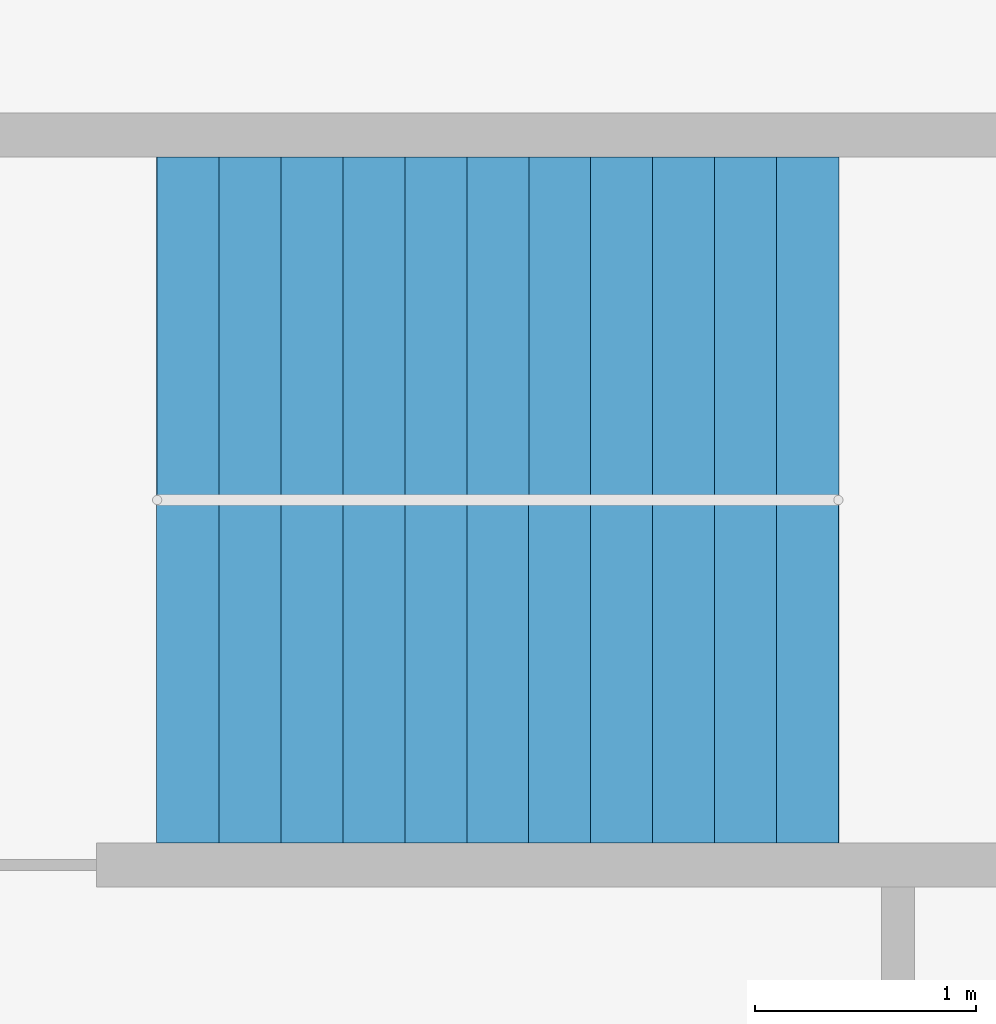
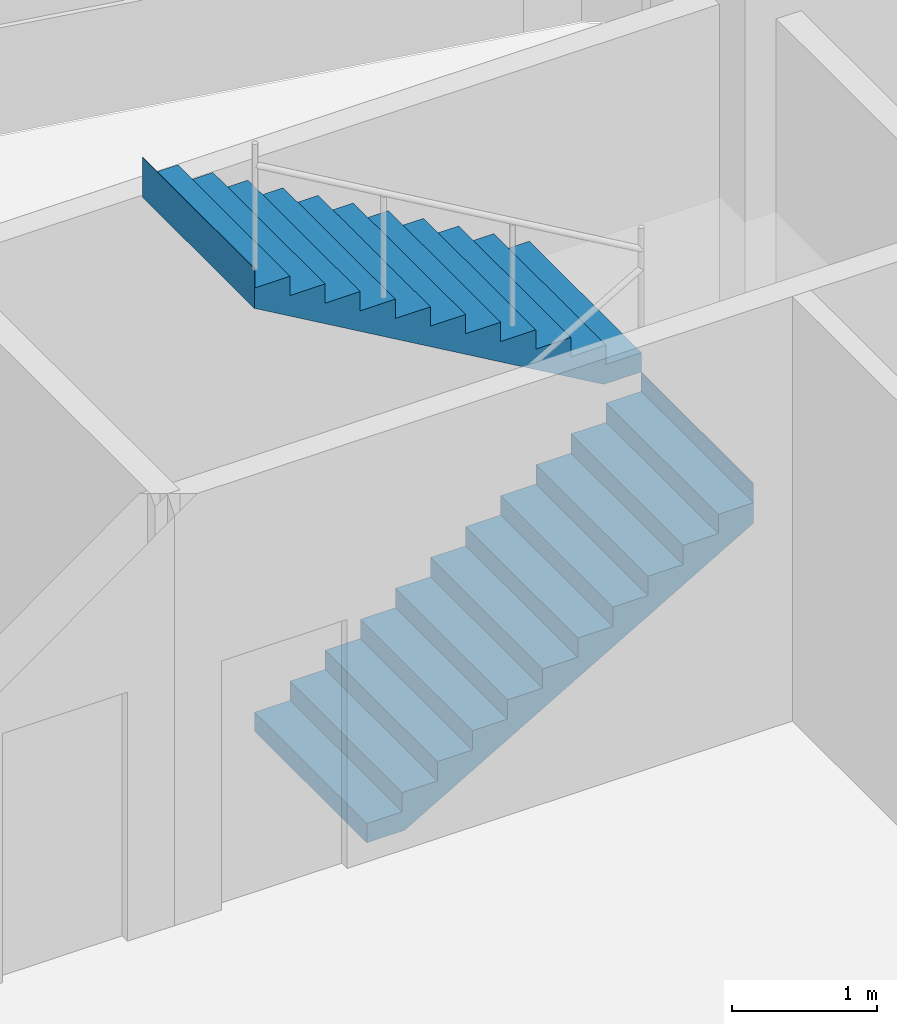
# One storey, part 7 of 9: 2 stair flights, 1 element without a shape of its own.
"""IFC4 building model written with IfcOpenShell, lengths in metres."""

from ifc_helpers import new_model, si_unit, direction, frame, origin, place, context, subcontext, project, spatial, polyline, outline, extrude, material, type_object, element, aggregate, save


model = new_model("IFC4")

# Units and contexts
model_context = context("Model", 3, precision=1e-05, world=origin(), true_north=direction((0.0, 1.0)))
body_context = subcontext(model_context, "Body", "Model", "MODEL_VIEW")
ifc_project = project(units=[si_unit("LENGTHUNIT", "METRE"), si_unit("AREAUNIT", "SQUARE_METRE"), si_unit("VOLUMEUNIT", "CUBIC_METRE"), si_unit("PLANEANGLEUNIT", "RADIAN"), si_unit("MASSUNIT", "GRAM", prefix="KILO")], contexts=[model_context])

# Site, building, storey
site_placement = place(None, origin())
site = spatial("IfcSite", under=ifc_project, at=site_placement, CompositionType="ELEMENT")
building_placement = place(site_placement, origin())
building = spatial("IfcBuilding", under=site, at=building_placement, Name="Qaws Garden Tower", CompositionType="ELEMENT")
storey_placement = place(building_placement, frame((0.0, 0.0, 213.60009765625)))
storey = spatial("IfcBuildingStorey", under=building, at=storey_placement, Name="L52", CompositionType="ELEMENT", Elevation=213.60009765625)

# Stair, stair flights
ifc_material_1 = material(Name="Concrete C40", Category="concrete")
stair_type = type_object("IfcStairType", Name="Exit stair 1350", PredefinedType="HALF_TURN_STAIR", material=ifc_material_1)
stair_placement = place(storey_placement, origin())
stair = element("IfcStair", 1, at=stair_placement, inside=storey, type_object=stair_type, Name="Stair 7", PredefinedType="HALF_TURN_STAIR")
ifc_material_2 = material(Name="Concrete C40", Category="concrete")
stair_flight_type = type_object("IfcStairFlightType", Name="Stair flight 1350", PredefinedType="STRAIGHT", material=ifc_material_2)
stair_flight_1_placement = place(storey_placement, frame((14.75, 67.375, 0.0), z_axis=(0.0, 0.0, 1.0), x_axis=(1.0, 0.0, 0.0)))
stair_flight_1 = element("IfcStairFlight", 2, at=stair_flight_1_placement, type_object=stair_flight_type, Name="ST7 flight 1", NumberOfRisers=12, NumberOfTreads=11, PredefinedType="STRAIGHT", RiserHeight=0.1625, TreadLength=0.28, context=body_context, shape_type="SweptSolid", body=[
    extrude(outline(polyline([(-0.0029296875, 0.0), (-0.0029296875, 0.16259765625), (0.0, 0.16259765625), (0.280029296875, 0.16259765625), (0.280029296875, 0.324951171875), (0.56005859375, 0.324951171875), (0.56005859375, 0.487548828125), (0.840087890625, 0.487548828125), (0.840087890625, 0.64990234375), (1.1201171875, 0.64990234375), (1.1201171875, 0.8125), (1.39990234375, 0.8125), (1.39990234375, 0.97509765625), (1.679931640625, 0.97509765625), (1.679931640625, 1.137451171875), (1.9599609375, 1.137451171875), (1.9599609375, 1.300048828125), (2.239990234375, 1.300048828125), (2.239990234375, 1.46240234375), (2.52001953125, 1.46240234375), (2.52001953125, 1.625), (2.800048828125, 1.625), (2.800048828125, 1.78759765625), (3.080078125, 1.78759765625), (3.080078125, 1.949951171875), (3.0830078125, 1.949951171875), (3.0830078125, 1.6142578125), (3.080078125, 1.6142578125), (0.298583984375, 0.0), (-0.0029296875, 0.0)])), frame((0.0, 0.77490234375, 0.0), z_axis=(0.0, -1.0, 0.0), x_axis=(1.0, 0.0, 0.0)), (0.0, 0.0, 1.0), 1.550048828125),
])
stair_flight_2_placement = place(storey_placement, frame((17.830078125, 68.925048828125, 1.949951171875), z_axis=(0.0, 0.0, 1.0), x_axis=(-1.0, 0.0, 0.0)))
stair_flight_2 = element("IfcStairFlight", 3, at=stair_flight_2_placement, type_object=stair_flight_type, Name="ST7 flight 2", NumberOfRisers=12, NumberOfTreads=11, PredefinedType="STRAIGHT", RiserHeight=0.1625, TreadLength=0.28, context=body_context, shape_type="SweptSolid", body=[
    extrude(outline(polyline([(-0.0029296875, 0.0), (-0.0029296875, 0.16259765625), (0.0, 0.16259765625), (0.280029296875, 0.16259765625), (0.280029296875, 0.324951171875), (0.56005859375, 0.324951171875), (0.56005859375, 0.487548828125), (0.840087890625, 0.487548828125), (0.840087890625, 0.64990234375), (1.1201171875, 0.64990234375), (1.1201171875, 0.8125), (1.39990234375, 0.8125), (1.39990234375, 0.97509765625), (1.679931640625, 0.97509765625), (1.679931640625, 1.137451171875), (1.9599609375, 1.137451171875), (1.9599609375, 1.300048828125), (2.239990234375, 1.300048828125), (2.239990234375, 1.46240234375), (2.52001953125, 1.46240234375), (2.52001953125, 1.625), (2.800048828125, 1.625), (2.800048828125, 1.78759765625), (3.080078125, 1.78759765625), (3.080078125, 1.949951171875), (3.0830078125, 1.949951171875), (3.0830078125, 1.6142578125), (3.080078125, 1.6142578125), (0.298583984375, 0.0), (-0.0029296875, 0.0)])), frame((0.0, 0.77490234375, 0.0), z_axis=(0.0, -1.0, 0.0), x_axis=(1.0, 0.0, 0.0)), (0.0, 0.0, 1.0), 1.550048828125),
])
aggregate(stair, [stair_flight_1, stair_flight_2])

save(model, "model.ifc")
